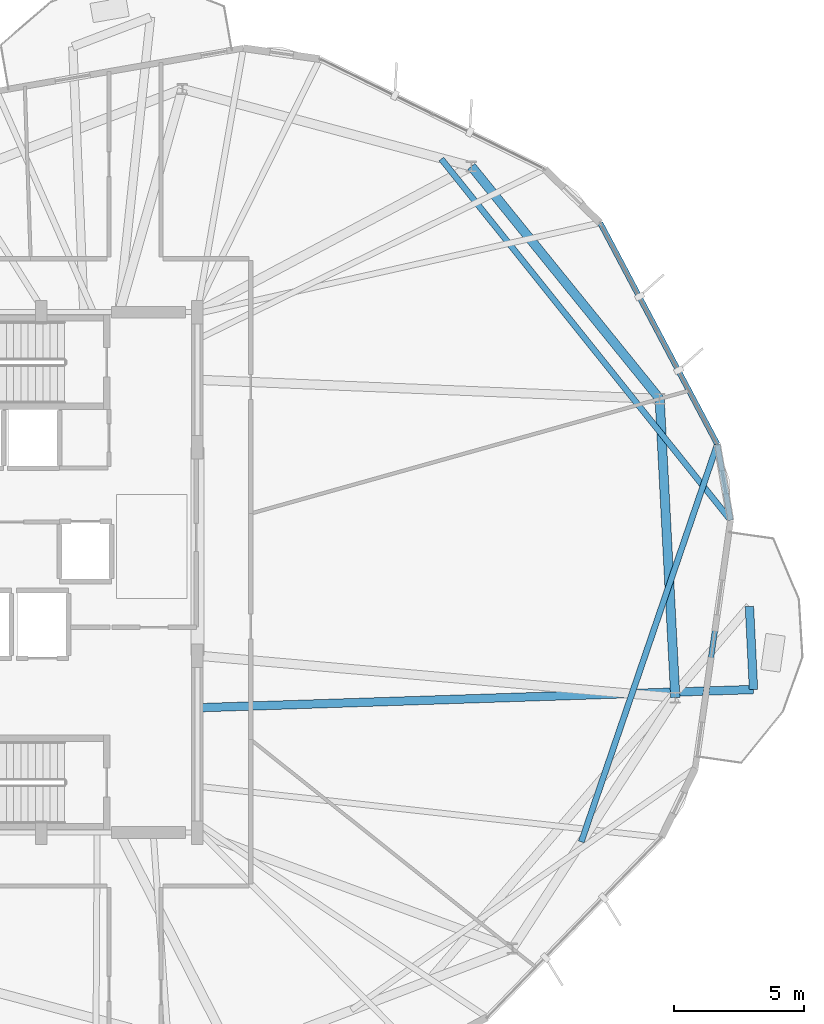
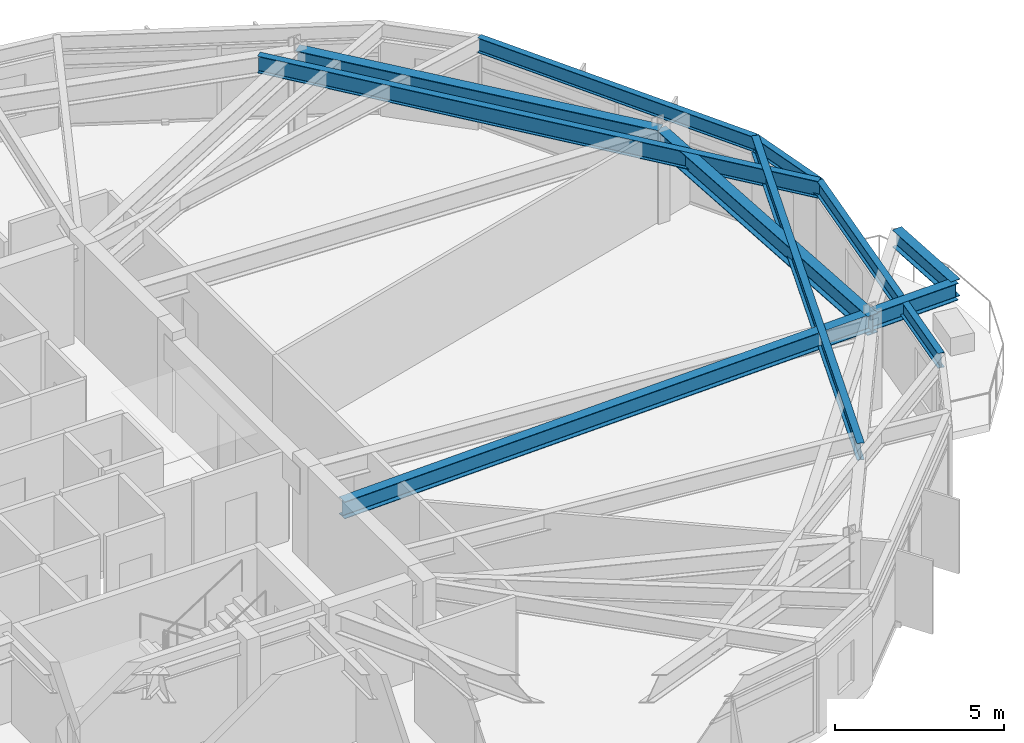
# One storey, part 14 of 28: 9 beams.
"""IFC4 building model written with IfcOpenShell, lengths in metres."""

from ifc_helpers import new_model, si_unit, direction, frame, origin, origin_2d, place, context, subcontext, project, spatial, i_section, extrude, material, material_profile, profile_set, type_object, element, save


model = new_model("IFC4")

# Units and contexts
model_context = context("Model", 3, precision=1e-05, world=origin(), true_north=direction((0.0, 1.0)))
body_context = subcontext(model_context, "Body", "Model", "MODEL_VIEW")
ifc_project = project(units=[si_unit("LENGTHUNIT", "METRE"), si_unit("AREAUNIT", "SQUARE_METRE"), si_unit("VOLUMEUNIT", "CUBIC_METRE"), si_unit("PLANEANGLEUNIT", "RADIAN"), si_unit("MASSUNIT", "GRAM", prefix="KILO")], contexts=[model_context])

# Site, building, storey
site_placement = place(None, origin())
site = spatial("IfcSite", under=ifc_project, at=site_placement, CompositionType="ELEMENT")
building_placement = place(site_placement, origin())
building = spatial("IfcBuilding", under=site, at=building_placement, Name="Soratama Intermodal Tower", CompositionType="ELEMENT")
storey_placement = place(building_placement, frame((0.0, 0.0, 201.39990234375)))
storey = spatial("IfcBuildingStorey", under=building, at=storey_placement, Name="L50", CompositionType="ELEMENT", Elevation=201.39990234375)

# Beams
ifc_material_1 = material(Name="Structural steel ASTM A992 Grade 50", Category="steel")
ifc_material_profile_1 = material_profile(ifc_material_1, i_section(OverallWidth=0.324951171875, OverallDepth=0.615966796875, WebThickness=0.013916015625, FlangeThickness=0.021484375, FilletRadius=0.013916015625, at=origin_2d()), Name="W24X117")
ifc_profile_set_1 = profile_set([ifc_material_profile_1], Name="Structural steel ASTM A992 Grade 50")
beam_type_1 = type_object("IfcBeamType", Name="BM-CANT-W24X117", PredefinedType="BEAM", material=ifc_profile_set_1)
beam_1_placement = place(storey_placement, frame((65.971923828125, 20.4970703125, 2.9921875), z_axis=(-0.049107220418, 0.998793512646, 0.0), x_axis=(-0.998793512646, -0.049107220418, 0.0)))
element("IfcBeam", 1, at=beam_1_placement, inside=storey, type_object=beam_type_1, Name="BM-L50-CBHDR-1", PredefinedType="BEAM", context=body_context, shape_type="SweptSolid", body=[
    extrude(i_section(OverallWidth=0.324951171875, OverallDepth=0.615966796875, WebThickness=0.013916015625, FlangeThickness=0.021484375, FilletRadius=0.013916015625, at=origin_2d()), origin(), (0.0, 0.0, 1.0), 3.19677734375),
])
beam_2_placement = place(storey_placement, frame((44.639892578125, 19.7958984375, 2.9921875), z_axis=(0.999460237359, 0.032851696137, 0.0), x_axis=(-0.032851696137, 0.999460237359, 0.0)))
element("IfcBeam", 2, at=beam_2_placement, inside=storey, type_object=beam_type_1, Name="BM-L50-CANT-1-1", PredefinedType="BEAM", context=body_context, shape_type="SweptSolid", body=[
    extrude(i_section(OverallWidth=0.324951171875, OverallDepth=0.615966796875, WebThickness=0.013916015625, FlangeThickness=0.021484375, FilletRadius=0.013916015625, at=origin_2d()), origin(), (0.0, 0.0, 1.0), 21.343505859375),
])
ifc_material_2 = material(Name="Structural steel ASTM A992 Grade 50", Category="steel")
ifc_material_profile_2 = material_profile(ifc_material_2, i_section(OverallWidth=0.35498046875, OverallDepth=0.695068359375, WebThickness=0.015380859375, FlangeThickness=0.02490234375, FilletRadius=0.01611328125, at=origin_2d()), Name="W27X146")
ifc_profile_set_2 = profile_set([ifc_material_profile_2], Name="Structural steel ASTM A992 Grade 50")
beam_type_2 = type_object("IfcBeamType", Name="BM-RING-W27X146", PredefinedType="BEAM", material=ifc_profile_set_2)
for number, where, z_axis, x_axis, name in (
    (3, (62.364990234375, 31.666015625, 2.95263671875), (-0.629384551156, 0.777094001242, 0.0), (-0.777094001242, -0.629384551156, 0.0), "BM-L50-RING-01"),
    (4, (62.966064453125, 20.18603515625, 2.95263671875), (-0.052286849724, 0.998632107108, 0.0), (-0.998632107108, -0.052286849724, 0.0), "BM-L50-RING-10"),
):
    element("IfcBeam", number, at=place(storey_placement, frame(where, z_axis=z_axis, x_axis=x_axis)), inside=storey, type_object=beam_type_2, Name=name, PredefinedType="BEAM", context=body_context, shape_type="SweptSolid", body=[
        extrude(i_section(OverallWidth=0.35498046875, OverallDepth=0.695068359375, WebThickness=0.015380859375, FlangeThickness=0.02490234375, FilletRadius=0.01611328125, at=origin_2d()), origin(), (0.0, 0.0, 1.0), 11.49560546875),
    ])
ifc_material_3 = material(Name="Structural steel ASTM A992 Grade 50", Category="steel")
ifc_material_profile_3 = material_profile(ifc_material_3, i_section(OverallWidth=0.2099609375, OverallDepth=0.537109375, WebThickness=0.010986328125, FlangeThickness=0.017333984375, FilletRadius=0.012939453125, at=origin_2d()), Name="W21X68")
ifc_profile_set_3 = profile_set([ifc_material_profile_3], Name="Structural steel ASTM A992 Grade 50")
beam_type_3 = type_object("IfcBeamType", Name="BM-SPN-W21X68", PredefinedType="SPANDREL", material=ifc_profile_set_3)
beam_3_placement = place(storey_placement, frame((63.736083984375, 17.472900390625, 3.031494140625), z_axis=(0.14089216596, 0.990024947954, 0.0), x_axis=(-0.990024947954, 0.14089216596, 0.0)))
element("IfcBeam", 5, at=beam_3_placement, inside=storey, type_object=beam_type_3, Name="BS-L50-F09", PredefinedType="SPANDREL", context=body_context, shape_type="SweptSolid", body=[
    extrude(i_section(OverallWidth=0.2099609375, OverallDepth=0.537109375, WebThickness=0.010986328125, FlangeThickness=0.017333984375, FilletRadius=0.012939453125, at=origin_2d()), origin(), (0.0, 0.0, 1.0), 9.6240234375),
])
beam_4_placement = place(storey_placement, frame((65.092041015625, 27.0009765625, 3.031494140625), z_axis=(-0.171935098619, 0.985108279258, 0.0), x_axis=(-0.985108279258, -0.171935098619, 0.0)))
element("IfcBeam", 6, at=beam_4_placement, inside=storey, type_object=beam_type_3, Name="BS-L50-CRN09", PredefinedType="SPANDREL", context=body_context, shape_type="SweptSolid", body=[
    extrude(i_section(OverallWidth=0.2099609375, OverallDepth=0.537109375, WebThickness=0.010986328125, FlangeThickness=0.017333984375, FilletRadius=0.012939453125, at=origin_2d()), origin(), (0.0, 0.0, 1.0), 2.96630859375),
])
beam_5_placement = place(storey_placement, frame((64.58203125, 29.923095703125, 3.031494140625), z_axis=(-0.467873734088, 0.883795320734, 0.0), x_axis=(-0.883795320734, -0.467873734088, 0.0)))
element("IfcBeam", 7, at=beam_5_placement, inside=storey, type_object=beam_type_3, Name="BS-L50-F10", PredefinedType="SPANDREL", context=body_context, shape_type="SweptSolid", body=[
    extrude(i_section(OverallWidth=0.2099609375, OverallDepth=0.537109375, WebThickness=0.010986328125, FlangeThickness=0.017333984375, FilletRadius=0.012939453125, at=origin_2d()), origin(), (0.0, 0.0, 1.0), 9.624267578125),
])
ifc_material_4 = material(Name="Structural steel ASTM A992 Grade 50", Category="steel")
ifc_material_profile_4 = material_profile(ifc_material_4, i_section(OverallWidth=0.22900390625, OverallDepth=0.612060546875, WebThickness=0.011962890625, FlangeThickness=0.01953125, FilletRadius=0.012939453125, at=origin_2d()), Name="W24X84")
ifc_profile_set_4 = profile_set([ifc_material_profile_4], Name="Structural steel ASTM A992 Grade 50")
beam_type_4 = type_object("IfcBeamType", Name="BM-TIE-W24X84", PredefinedType="BEAM", material=ifc_profile_set_4)
beam_6_placement = place(storey_placement, frame((53.97509765625, 40.884033203125, 2.994140625), z_axis=(0.62505489411, -0.78058079617, 0.0), x_axis=(0.78058079617, 0.62505489411, 0.0)))
element("IfcBeam", 8, at=beam_6_placement, inside=storey, type_object=beam_type_4, Name="BM-L50-TIE1-09", PredefinedType="BEAM", context=body_context, shape_type="SweptSolid", body=[
    extrude(i_section(OverallWidth=0.22900390625, OverallDepth=0.612060546875, WebThickness=0.011962890625, FlangeThickness=0.01953125, FilletRadius=0.012939453125, at=origin_2d()), origin(), (0.0, 0.0, 1.0), 17.78564453125),
])
beam_7_placement = place(storey_placement, frame((59.35400390625, 14.64111328125, 2.994140625), z_axis=(0.323686610752, 0.946164350427, 0.0), x_axis=(-0.946164350427, 0.323686610752, 0.0)))
element("IfcBeam", 9, at=beam_7_placement, inside=storey, type_object=beam_type_4, Name="BM-L50-TIE0-10", PredefinedType="BEAM", context=body_context, shape_type="SweptSolid", body=[
    extrude(i_section(OverallWidth=0.22900390625, OverallDepth=0.612060546875, WebThickness=0.011962890625, FlangeThickness=0.01953125, FilletRadius=0.012939453125, at=origin_2d()), origin(), (0.0, 0.0, 1.0), 16.151611328125),
])

save(model, "model.ifc")
